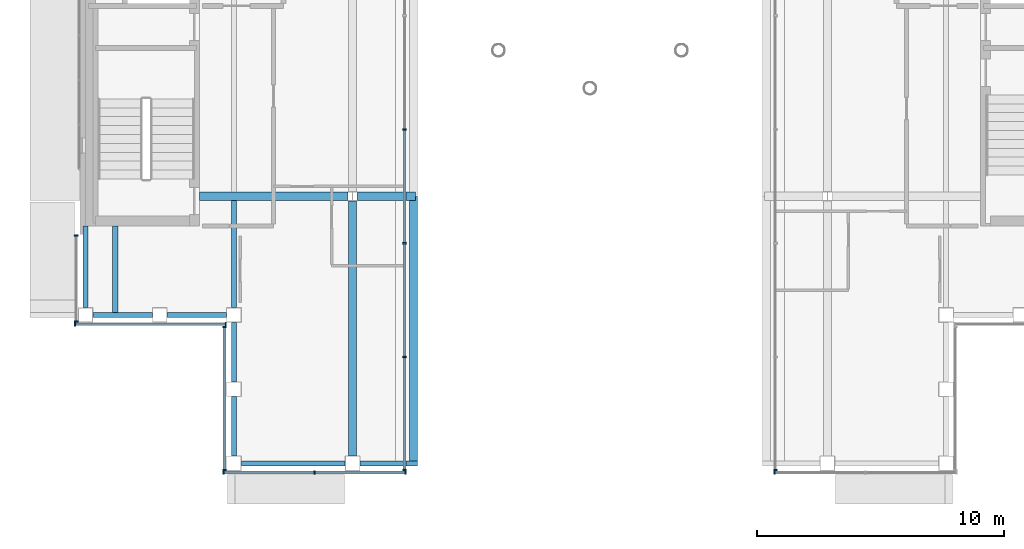
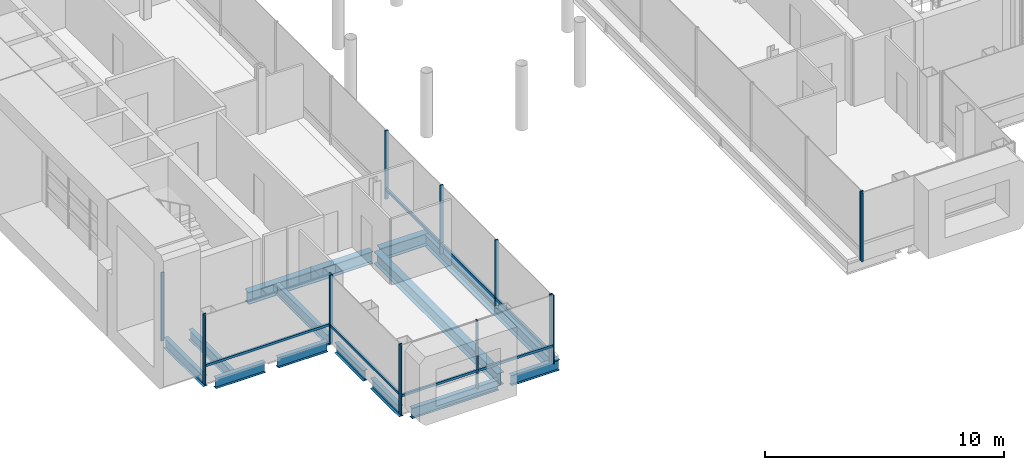
# One storey, part 3 of 21: 22 members, 13 beams, 7 elements without a shape of their own.
"""IFC4 building model written with IfcOpenShell, lengths in metres."""

from ifc_helpers import new_model, si_unit, direction, frame, origin, origin_2d, place, context, subcontext, project, spatial, rectangle, i_section, extrude, material, material_profile, profile_set, type_object, element, aggregate, save


model = new_model("IFC4")

# Units and contexts
model_context = context("Model", 3, precision=1e-05, world=origin(), true_north=direction((0.0, 1.0)))
body_context = subcontext(model_context, "Body", "Model", "MODEL_VIEW")
ifc_project = project(units=[si_unit("LENGTHUNIT", "METRE"), si_unit("AREAUNIT", "SQUARE_METRE"), si_unit("VOLUMEUNIT", "CUBIC_METRE"), si_unit("PLANEANGLEUNIT", "RADIAN"), si_unit("MASSUNIT", "GRAM", prefix="KILO")], contexts=[model_context])

# Site, building, storey
site_placement = place(None, origin())
site = spatial("IfcSite", under=ifc_project, at=site_placement, CompositionType="ELEMENT")
building_placement = place(site_placement, origin())
building = spatial("IfcBuilding", under=site, at=building_placement, Name="Cobrizo Arcos Hotel Tower", CompositionType="ELEMENT")
storey_placement = place(building_placement, frame((0.0, 0.0, 269.0)))
storey = spatial("IfcBuildingStorey", under=building, at=storey_placement, Name="L71", CompositionType="ELEMENT", Elevation=269.0)

# Curtain wall, member
ifc_material_1 = material(Name="Aluminium 6063-T6 anodised bronze", Category="aluminium")
curtain_wall_type_1 = type_object("IfcCurtainWallType", Name="CW-A guest facade", PredefinedType="NOTDEFINED", material=ifc_material_1)
curtain_wall_1_placement = place(storey_placement, origin())
curtain_wall_1 = element("IfcCurtainWall", 1, at=curtain_wall_1_placement, inside=storey, type_object=curtain_wall_type_1, Name="CW-A L71 S face", PredefinedType="NOTDEFINED")
ifc_material_profile_1 = material_profile(ifc_material_1, rectangle(XDim=0.14990234375, YDim=0.06005859375, at=origin_2d()), Name="CW-A mullion 150x60")
ifc_profile_set_1 = profile_set([ifc_material_profile_1], Name="Aluminium 6063-T6 anodised bronze")
member_type_1 = type_object("IfcMemberType", Name="CW-A mullion 150x60", PredefinedType="MULLION", material=ifc_profile_set_1)
member_1_placement = place(storey_placement, frame((7.4521484375, -20.77490234375, 0.0), z_axis=(0.0, 0.0, 1.0), x_axis=(0.0, -1.0, 0.0)))
member_1 = element("IfcMember", 2, at=member_1_placement, type_object=member_type_1, Name="CW-A mullion 1", PredefinedType="MULLION", context=body_context, shape_type="SweptSolid", body=[
    extrude(rectangle(XDim=0.14990234375, YDim=0.06005859375, at=origin_2d()), origin(), (0.0, 0.0, 1.0), 3.5),
])
aggregate(curtain_wall_1, [member_1])

# Curtain wall, members
curtain_wall_2_placement = place(storey_placement, origin())
curtain_wall_2 = element("IfcCurtainWall", 3, at=curtain_wall_2_placement, inside=storey, type_object=curtain_wall_type_1, Name="CW-A L71 S face", PredefinedType="NOTDEFINED")
member_2_placement = place(storey_placement, frame((-14.820068359375, -20.77490234375, 0.0), z_axis=(0.0, 0.0, 1.0), x_axis=(0.0, -1.0, 0.0)))
member_2 = element("IfcMember", 4, at=member_2_placement, type_object=member_type_1, Name="CW-A mullion 1", PredefinedType="MULLION", context=body_context, shape_type="SweptSolid", body=[
    extrude(rectangle(XDim=0.14990234375, YDim=0.06005859375, at=origin_2d()), origin(), (0.0, 0.0, 1.0), 3.5),
])
member_3_placement = place(storey_placement, frame((-11.135986328125, -20.77490234375, 0.0), z_axis=(0.0, 0.0, 1.0), x_axis=(0.0, -1.0, 0.0)))
member_3 = element("IfcMember", 5, at=member_3_placement, type_object=member_type_1, Name="CW-A mullion 2", PredefinedType="MULLION", context=body_context, shape_type="SweptSolid", body=[
    extrude(rectangle(XDim=0.14990234375, YDim=0.06005859375, at=origin_2d()), origin(), (0.0, 0.0, 1.0), 3.5),
])
member_4_placement = place(storey_placement, frame((-7.4521484375, -20.77490234375, 0.0), z_axis=(0.0, 0.0, 1.0), x_axis=(0.0, -1.0, 0.0)))
member_4 = element("IfcMember", 6, at=member_4_placement, type_object=member_type_1, Name="CW-A mullion 3", PredefinedType="MULLION", context=body_context, shape_type="SweptSolid", body=[
    extrude(rectangle(XDim=0.14990234375, YDim=0.06005859375, at=origin_2d()), origin(), (0.0, 0.0, 1.0), 3.5),
])

curtain_wall_3_placement = place(storey_placement, origin())
curtain_wall_3 = element("IfcCurtainWall", 7, at=curtain_wall_3_placement, inside=storey, type_object=curtain_wall_type_1, Name="CW-A L71 W face", PredefinedType="NOTDEFINED")
member_5_placement = place(storey_placement, frame((-20.77490234375, -11.179931640625, 0.0), z_axis=(0.0, 0.0, 1.0), x_axis=(-1.0, 0.0, 0.0)))
member_5 = element("IfcMember", 8, at=member_5_placement, type_object=member_type_1, Name="CW-A mullion 1", PredefinedType="MULLION", context=body_context, shape_type="SweptSolid", body=[
    extrude(rectangle(XDim=0.14990234375, YDim=0.06005859375, at=origin_2d()), origin(), (0.0, 0.0, 1.0), 3.5),
])
member_6_placement = place(storey_placement, frame((-20.77490234375, -14.669921875, 0.0), z_axis=(0.0, 0.0, 1.0), x_axis=(-1.0, 0.0, 0.0)))
member_6 = element("IfcMember", 9, at=member_6_placement, type_object=member_type_1, Name="CW-A mullion 2", PredefinedType="MULLION", context=body_context, shape_type="SweptSolid", body=[
    extrude(rectangle(XDim=0.14990234375, YDim=0.06005859375, at=origin_2d()), origin(), (0.0, 0.0, 1.0), 3.5),
])
aggregate(curtain_wall_3, [member_5, member_6])

curtain_wall_4_placement = place(storey_placement, origin())
curtain_wall_4 = element("IfcCurtainWall", 10, at=curtain_wall_4_placement, inside=storey, type_object=curtain_wall_type_1, Name="CW-A L71 S face", PredefinedType="NOTDEFINED")
member_7_placement = place(storey_placement, frame((-20.820068359375, -14.77490234375, 0.0), z_axis=(0.0, 0.0, 1.0), x_axis=(0.0, -1.0, 0.0)))
member_7 = element("IfcMember", 11, at=member_7_placement, type_object=member_type_1, Name="CW-A mullion 1", PredefinedType="MULLION", context=body_context, shape_type="SweptSolid", body=[
    extrude(rectangle(XDim=0.14990234375, YDim=0.06005859375, at=origin_2d()), origin(), (0.0, 0.0, 1.0), 3.5),
])
member_8_placement = place(storey_placement, frame((-14.72998046875, -14.77490234375, 0.0), z_axis=(0.0, 0.0, 1.0), x_axis=(0.0, -1.0, 0.0)))
member_8 = element("IfcMember", 12, at=member_8_placement, type_object=member_type_1, Name="CW-A mullion 2", PredefinedType="MULLION", context=body_context, shape_type="SweptSolid", body=[
    extrude(rectangle(XDim=0.14990234375, YDim=0.06005859375, at=origin_2d()), origin(), (0.0, 0.0, 1.0), 3.5),
])

curtain_wall_5_placement = place(storey_placement, origin())
curtain_wall_5 = element("IfcCurtainWall", 13, at=curtain_wall_5_placement, inside=storey, type_object=curtain_wall_type_1, Name="CW-A L71 W face", PredefinedType="NOTDEFINED")
member_9_placement = place(storey_placement, frame((-14.77490234375, -14.8798828125, 0.0), z_axis=(0.0, 0.0, 1.0), x_axis=(-1.0, 0.0, 0.0)))
member_9 = element("IfcMember", 14, at=member_9_placement, type_object=member_type_1, Name="CW-A mullion 1", PredefinedType="MULLION", context=body_context, shape_type="SweptSolid", body=[
    extrude(rectangle(XDim=0.14990234375, YDim=0.06005859375, at=origin_2d()), origin(), (0.0, 0.0, 1.0), 3.5),
])
member_10_placement = place(storey_placement, frame((-14.77490234375, -20.669921875, 0.0), z_axis=(0.0, 0.0, 1.0), x_axis=(-1.0, 0.0, 0.0)))
member_10 = element("IfcMember", 15, at=member_10_placement, type_object=member_type_1, Name="CW-A mullion 2", PredefinedType="MULLION", context=body_context, shape_type="SweptSolid", body=[
    extrude(rectangle(XDim=0.14990234375, YDim=0.06005859375, at=origin_2d()), origin(), (0.0, 0.0, 1.0), 3.5),
])

# Member
ifc_material_profile_2 = material_profile(ifc_material_1, rectangle(XDim=0.10009765625, YDim=0.1201171875, at=origin_2d()), Name="CW-A transom 120x100")
ifc_profile_set_2 = profile_set([ifc_material_profile_2], Name="Aluminium 6063-T6 anodised bronze")
member_type_2 = type_object("IfcMemberType", Name="CW-A transom 120x100", PredefinedType="USERDEFINED", material=ifc_profile_set_2)
member_11_placement = place(storey_placement, frame((-14.7900390625, -20.77490234375, 0.929931640625), z_axis=(1.0, 0.0, 0.0), x_axis=(0.0, 1.0, 0.0)))
member_11 = element("IfcMember", 16, at=member_11_placement, type_object=member_type_2, Name="CW-A transom 2237", ObjectType="TRANSOM", PredefinedType="USERDEFINED", context=body_context, shape_type="SweptSolid", body=[
    extrude(rectangle(XDim=0.10009765625, YDim=0.1201171875, at=origin_2d()), origin(), (0.0, 0.0, 1.0), 3.6240234375),
])

member_12_placement = place(storey_placement, frame((-11.10595703125, -20.77490234375, 0.929931640625), z_axis=(1.0, 0.0, 0.0), x_axis=(0.0, 1.0, 0.0)))
member_12 = element("IfcMember", 17, at=member_12_placement, type_object=member_type_2, Name="CW-A transom 2238", ObjectType="TRANSOM", PredefinedType="USERDEFINED", context=body_context, shape_type="SweptSolid", body=[
    extrude(rectangle(XDim=0.10009765625, YDim=0.1201171875, at=origin_2d()), origin(), (0.0, 0.0, 1.0), 3.623779296875),
])

aggregate(curtain_wall_2, [member_2, member_3, member_4, member_11, member_12])

member_13_placement = place(storey_placement, frame((-20.7900390625, -14.77490234375, 0.929931640625), z_axis=(1.0, 0.0, 0.0), x_axis=(0.0, 1.0, 0.0)))
member_13 = element("IfcMember", 18, at=member_13_placement, type_object=member_type_2, Name="CW-A transom 2254", ObjectType="TRANSOM", PredefinedType="USERDEFINED", context=body_context, shape_type="SweptSolid", body=[
    extrude(rectangle(XDim=0.10009765625, YDim=0.1201171875, at=origin_2d()), origin(), (0.0, 0.0, 1.0), 6.030029296875),
])

aggregate(curtain_wall_4, [member_7, member_8, member_13])

member_14_placement = place(storey_placement, frame((-14.77490234375, -14.909912109375, 0.929931640625), z_axis=(0.0, -1.0, 0.0), x_axis=(1.0, 0.0, 0.0)))
member_14 = element("IfcMember", 19, at=member_14_placement, type_object=member_type_2, Name="CW-A transom 2255", ObjectType="TRANSOM", PredefinedType="USERDEFINED", context=body_context, shape_type="SweptSolid", body=[
    extrude(rectangle(XDim=0.10009765625, YDim=0.1201171875, at=origin_2d()), origin(), (0.0, 0.0, 1.0), 5.72998046875),
])

aggregate(curtain_wall_5, [member_9, member_10, member_14])

# Curtain wall, member
curtain_wall_type_2 = type_object("IfcCurtainWallType", Name="CW-C arch infill and crown glazing", PredefinedType="NOTDEFINED", material=ifc_material_1)
curtain_wall_6_placement = place(storey_placement, origin())
curtain_wall_6 = element("IfcCurtainWall", 20, at=curtain_wall_6_placement, inside=storey, type_object=curtain_wall_type_2, Name="CW-C L71 W face", PredefinedType="NOTDEFINED")
ifc_material_profile_3 = material_profile(ifc_material_1, rectangle(XDim=0.14990234375, YDim=0.070068359375, at=origin_2d()), Name="CW-C mullion 150x70")
ifc_profile_set_3 = profile_set([ifc_material_profile_3], Name="Aluminium 6063-T6 anodised bronze")
member_type_3 = type_object("IfcMemberType", Name="CW-C mullion 150x70", PredefinedType="MULLION", material=ifc_profile_set_3)
member_15_placement = place(storey_placement, frame((7.4970703125, -20.6650390625, 0.0), z_axis=(0.0, 0.0, 1.0), x_axis=(-1.0, 0.0, 0.0)))
member_15 = element("IfcMember", 21, at=member_15_placement, type_object=member_type_3, Name="CW-C mullion 10", PredefinedType="MULLION", context=body_context, shape_type="SweptSolid", body=[
    extrude(rectangle(XDim=0.14990234375, YDim=0.070068359375, at=origin_2d()), origin(), (0.0, 0.0, 1.0), 3.5),
])
aggregate(curtain_wall_6, [member_15])

# Curtain wall, members
curtain_wall_7_placement = place(storey_placement, origin())
curtain_wall_7 = element("IfcCurtainWall", 22, at=curtain_wall_7_placement, inside=storey, type_object=curtain_wall_type_2, Name="CW-C L71 E face", PredefinedType="NOTDEFINED")
member_16_placement = place(storey_placement, frame((-7.4970703125, -20.6650390625, 0.0), z_axis=(0.0, 0.0, 1.0), x_axis=(1.0, 0.0, 0.0)))
member_16 = element("IfcMember", 23, at=member_16_placement, type_object=member_type_3, Name="CW-C mullion 1", PredefinedType="MULLION", context=body_context, shape_type="SweptSolid", body=[
    extrude(rectangle(XDim=0.14990234375, YDim=0.070068359375, at=origin_2d()), origin(), (0.0, 0.0, 1.0), 3.5),
])
member_17_placement = place(storey_placement, frame((-7.4970703125, -16.10009765625, 0.0), z_axis=(0.0, 0.0, 1.0), x_axis=(1.0, 0.0, 0.0)))
member_17 = element("IfcMember", 24, at=member_17_placement, type_object=member_type_3, Name="CW-C mullion 2", PredefinedType="MULLION", context=body_context, shape_type="SweptSolid", body=[
    extrude(rectangle(XDim=0.14990234375, YDim=0.070068359375, at=origin_2d()), origin(), (0.0, 0.0, 1.0), 3.5),
])
member_18_placement = place(storey_placement, frame((-7.4970703125, -11.5, 0.0), z_axis=(0.0, 0.0, 1.0), x_axis=(1.0, 0.0, 0.0)))
member_18 = element("IfcMember", 25, at=member_18_placement, type_object=member_type_3, Name="CW-C mullion 3", PredefinedType="MULLION", context=body_context, shape_type="SweptSolid", body=[
    extrude(rectangle(XDim=0.14990234375, YDim=0.070068359375, at=origin_2d()), origin(), (0.0, 0.0, 1.0), 3.5),
])
member_19_placement = place(storey_placement, frame((-7.4970703125, -6.89990234375, 0.0), z_axis=(0.0, 0.0, 1.0), x_axis=(1.0, 0.0, 0.0)))
member_19 = element("IfcMember", 26, at=member_19_placement, type_object=member_type_3, Name="CW-C mullion 4", PredefinedType="MULLION", context=body_context, shape_type="SweptSolid", body=[
    extrude(rectangle(XDim=0.14990234375, YDim=0.070068359375, at=origin_2d()), origin(), (0.0, 0.0, 1.0), 3.5),
])
ifc_material_profile_4 = material_profile(ifc_material_1, rectangle(XDim=0.10009765625, YDim=0.139892578125, at=origin_2d()), Name="CW-C transom 140x100")
ifc_profile_set_4 = profile_set([ifc_material_profile_4], Name="Aluminium 6063-T6 anodised bronze")
member_type_4 = type_object("IfcMemberType", Name="CW-C transom 140x100", PredefinedType="USERDEFINED", material=ifc_profile_set_4)
member_20_placement = place(storey_placement, frame((-7.4970703125, -20.6298828125, 0.5), z_axis=(0.0, 1.0, 0.0), x_axis=(-1.0, 0.0, 0.0)))
member_20 = element("IfcMember", 27, at=member_20_placement, type_object=member_type_4, Name="CW-C transom 2239", ObjectType="TRANSOM", PredefinedType="USERDEFINED", context=body_context, shape_type="SweptSolid", body=[
    extrude(rectangle(XDim=0.10009765625, YDim=0.139892578125, at=origin_2d()), origin(), (0.0, 0.0, 1.0), 4.494873046875),
])
member_21_placement = place(storey_placement, frame((-7.4970703125, -16.06494140625, 0.5), z_axis=(0.0, 1.0, 0.0), x_axis=(-1.0, 0.0, 0.0)))
member_21 = element("IfcMember", 28, at=member_21_placement, type_object=member_type_4, Name="CW-C transom 2240", ObjectType="TRANSOM", PredefinedType="USERDEFINED", context=body_context, shape_type="SweptSolid", body=[
    extrude(rectangle(XDim=0.10009765625, YDim=0.139892578125, at=origin_2d()), origin(), (0.0, 0.0, 1.0), 4.530029296875),
])
member_22_placement = place(storey_placement, frame((-7.4970703125, -11.465087890625, 0.5), z_axis=(0.0, 1.0, 0.0), x_axis=(-1.0, 0.0, 0.0)))
member_22 = element("IfcMember", 29, at=member_22_placement, type_object=member_type_4, Name="CW-C transom 2241", ObjectType="TRANSOM", PredefinedType="USERDEFINED", context=body_context, shape_type="SweptSolid", body=[
    extrude(rectangle(XDim=0.10009765625, YDim=0.139892578125, at=origin_2d()), origin(), (0.0, 0.0, 1.0), 4.530029296875),
])
aggregate(curtain_wall_7, [member_16, member_17, member_18, member_19, member_20, member_21, member_22])

# Beams
ifc_material_2 = material(Name="Steel ASTM A992 Grade 50", Category="steel")
ifc_material_profile_5 = material_profile(ifc_material_2, i_section(OverallWidth=0.209228515625, OverallDepth=0.533447265625, WebThickness=0.01025390625, FlangeThickness=0.015625, at=origin_2d()), Name="W21X62")
ifc_profile_set_5 = profile_set([ifc_material_profile_5], Name="Steel ASTM A992 Grade 50")
beam_type_1 = type_object("IfcBeamType", Name="W21X62 joist", PredefinedType="JOIST", material=ifc_profile_set_5)
beam_1_placement = place(storey_placement, frame((-19.199951171875, -14.31005859375, -0.416748046875), z_axis=(0.0, 1.0, 0.0), x_axis=(-1.0, 0.0, 0.0)))
element("IfcBeam", 30, at=beam_1_placement, inside=storey, type_object=beam_type_1, Name="Floor joist J1, L71, no. 001", PredefinedType="JOIST", context=body_context, shape_type="SweptSolid", body=[
    extrude(i_section(OverallWidth=0.209228515625, OverallDepth=0.533447265625, WebThickness=0.01025390625, FlangeThickness=0.015625, at=origin_2d()), origin(), (0.0, 0.0, 1.0), 3.5),
])
beam_2_placement = place(storey_placement, frame((-14.39990234375, -14.10009765625, -0.416748046875), z_axis=(0.0, 1.0, 0.0), x_axis=(-1.0, 0.0, 0.0)))
element("IfcBeam", 31, at=beam_2_placement, inside=storey, type_object=beam_type_1, Name="Floor joist J1, L71, no. 003", PredefinedType="JOIST", context=body_context, shape_type="SweptSolid", body=[
    extrude(i_section(OverallWidth=0.209228515625, OverallDepth=0.533447265625, WebThickness=0.01025390625, FlangeThickness=0.015625, at=origin_2d()), origin(), (0.0, 0.0, 1.0), 4.336181640625),
])
ifc_material_profile_6 = material_profile(ifc_material_2, i_section(OverallWidth=0.209228515625, OverallDepth=0.533447265625, WebThickness=0.01025390625, FlangeThickness=0.015625, at=origin_2d()), Name="W21X62")
ifc_profile_set_6 = profile_set([ifc_material_profile_6], Name="Steel ASTM A992 Grade 50")
beam_type_2 = type_object("IfcBeamType", Name="W21X62 spandrel", PredefinedType="SPANDREL", material=ifc_profile_set_6)
beam_3_placement = place(storey_placement, frame((-20.39990234375, -14.10009765625, -0.416748046875), z_axis=(0.0, 1.0, 0.0), x_axis=(-1.0, 0.0, 0.0)))
element("IfcBeam", 32, at=beam_3_placement, inside=storey, type_object=beam_type_2, Name="Spandrel beam W21X62, L71, no. 001", PredefinedType="SPANDREL", context=body_context, shape_type="SweptSolid", body=[
    extrude(i_section(OverallWidth=0.209228515625, OverallDepth=0.533447265625, WebThickness=0.01025390625, FlangeThickness=0.015625, at=origin_2d()), origin(), (0.0, 0.0, 1.0), 3.2900390625),
])
beam_4_placement = place(storey_placement, frame((-6.97412109375, -20.39990234375, -0.416748046875), z_axis=(-1.0, 0.0, 0.0), x_axis=(0.0, -1.0, 0.0)))
element("IfcBeam", 33, at=beam_4_placement, inside=storey, type_object=beam_type_2, Name="Spandrel beam W21X62, L71, no. 009", PredefinedType="SPANDREL", context=body_context, shape_type="SweptSolid", body=[
    extrude(i_section(OverallWidth=0.209228515625, OverallDepth=0.533447265625, WebThickness=0.01025390625, FlangeThickness=0.015625, at=origin_2d()), origin(), (0.0, 0.0, 1.0), 2.325927734375),
])
beam_5_placement = place(storey_placement, frame((-9.89990234375, -20.39990234375, -0.416748046875), z_axis=(-1.0, 0.0, 0.0), x_axis=(0.0, -1.0, 0.0)))
element("IfcBeam", 34, at=beam_5_placement, inside=storey, type_object=beam_type_2, Name="Spandrel beam W21X62, L71, no. 010", PredefinedType="SPANDREL", context=body_context, shape_type="SweptSolid", body=[
    extrude(i_section(OverallWidth=0.209228515625, OverallDepth=0.533447265625, WebThickness=0.01025390625, FlangeThickness=0.015625, at=origin_2d()), origin(), (0.0, 0.0, 1.0), 4.2001953125),
])
for number, where, z_axis, x_axis, name in (
    (35, (-14.39990234375, -20.10009765625, -0.416748046875), (0.0, 1.0, 0.0), (-1.0, 0.0, 0.0), "Spandrel beam W21X62, L71, no. 011"),
    (36, (-14.39990234375, -17.10009765625, -0.416748046875), (0.0, 1.0, 0.0), (-1.0, 0.0, 0.0), "Spandrel beam W21X62, L71, no. 012"),
    (37, (-14.699951171875, -14.39990234375, -0.416748046875), (-1.0, 0.0, 0.0), (0.0, -1.0, 0.0), "Spandrel beam W21X62, L71, no. 013"),
    (38, (-17.699951171875, -14.39990234375, -0.416748046875), (-1.0, 0.0, 0.0), (0.0, -1.0, 0.0), "Spandrel beam W21X62, L71, no. 014"),
):
    element("IfcBeam", number, at=place(storey_placement, frame(where, z_axis=z_axis, x_axis=x_axis)), inside=storey, type_object=beam_type_2, Name=name, PredefinedType="SPANDREL", context=body_context, shape_type="SweptSolid", body=[
        extrude(i_section(OverallWidth=0.209228515625, OverallDepth=0.533447265625, WebThickness=0.01025390625, FlangeThickness=0.015625, at=origin_2d()), origin(), (0.0, 0.0, 1.0), 2.400146484375),
    ])
ifc_material_profile_7 = material_profile(ifc_material_2, i_section(OverallWidth=0.32763671875, OverallDepth=0.622314453125, WebThickness=0.015380859375, FlangeThickness=0.0244140625, at=origin_2d()), Name="W24X131")
ifc_profile_set_7 = profile_set([ifc_material_profile_7], Name="Steel ASTM A992 Grade 50")
beam_type_3 = type_object("IfcBeamType", Name="W24X131 edge beam", PredefinedType="BEAM", material=ifc_profile_set_7)
beam_6_placement = place(storey_placement, frame((-7.137939453125, -9.60009765625, -0.461181640625), z_axis=(0.0, -1.0, 0.0), x_axis=(1.0, 0.0, 0.0)))
element("IfcBeam", 39, at=beam_6_placement, inside=storey, type_object=beam_type_3, Name="Edge beam EB1, L71, no. 004", PredefinedType="BEAM", context=body_context, shape_type="SweptSolid", body=[
    extrude(i_section(OverallWidth=0.32763671875, OverallDepth=0.622314453125, WebThickness=0.015380859375, FlangeThickness=0.0244140625, at=origin_2d()), origin(), (0.0, 0.0, 1.0), 10.7998046875),
])
ifc_material_profile_8 = material_profile(ifc_material_2, i_section(OverallWidth=0.32763671875, OverallDepth=0.622314453125, WebThickness=0.015380859375, FlangeThickness=0.0244140625, at=origin_2d()), Name="W24X131")
ifc_profile_set_8 = profile_set([ifc_material_profile_8], Name="Steel ASTM A992 Grade 50")
beam_type_4 = type_object("IfcBeamType", Name="W24X131 girder", PredefinedType="BEAM", material=ifc_profile_set_8)
beam_7_placement = place(storey_placement, frame((-15.7900390625, -9.60009765625, -0.461181640625), z_axis=(1.0, 0.0, 0.0), x_axis=(0.0, 1.0, 0.0)))
element("IfcBeam", 40, at=beam_7_placement, inside=storey, type_object=beam_type_4, Name="Floor girder G1, L71, no. 001", PredefinedType="BEAM", context=body_context, shape_type="SweptSolid", body=[
    extrude(i_section(OverallWidth=0.32763671875, OverallDepth=0.622314453125, WebThickness=0.015380859375, FlangeThickness=0.0244140625, at=origin_2d()), origin(), (0.0, 0.0, 1.0), 6.005859375),
])
beam_8_placement = place(storey_placement, frame((-9.415771484375, -9.60009765625, -0.461181640625), z_axis=(1.0, 0.0, 0.0), x_axis=(0.0, 1.0, 0.0)))
element("IfcBeam", 41, at=beam_8_placement, inside=storey, type_object=beam_type_4, Name="Floor girder G1, L71, no. 002", PredefinedType="BEAM", context=body_context, shape_type="SweptSolid", body=[
    extrude(i_section(OverallWidth=0.32763671875, OverallDepth=0.622314453125, WebThickness=0.015380859375, FlangeThickness=0.0244140625, at=origin_2d()), origin(), (0.0, 0.0, 1.0), 2.351806640625),
])
beam_9_placement = place(storey_placement, frame((-9.60009765625, -20.10009765625, -0.461181640625), z_axis=(0.0, 1.0, 0.0), x_axis=(-1.0, 0.0, 0.0)))
element("IfcBeam", 42, at=beam_9_placement, inside=storey, type_object=beam_type_4, Name="Floor girder G1, L71, no. 013", PredefinedType="BEAM", context=body_context, shape_type="SweptSolid", body=[
    extrude(i_section(OverallWidth=0.32763671875, OverallDepth=0.622314453125, WebThickness=0.015380859375, FlangeThickness=0.0244140625, at=origin_2d()), origin(), (0.0, 0.0, 1.0), 10.31591796875),
])

save(model, "model.ifc")
